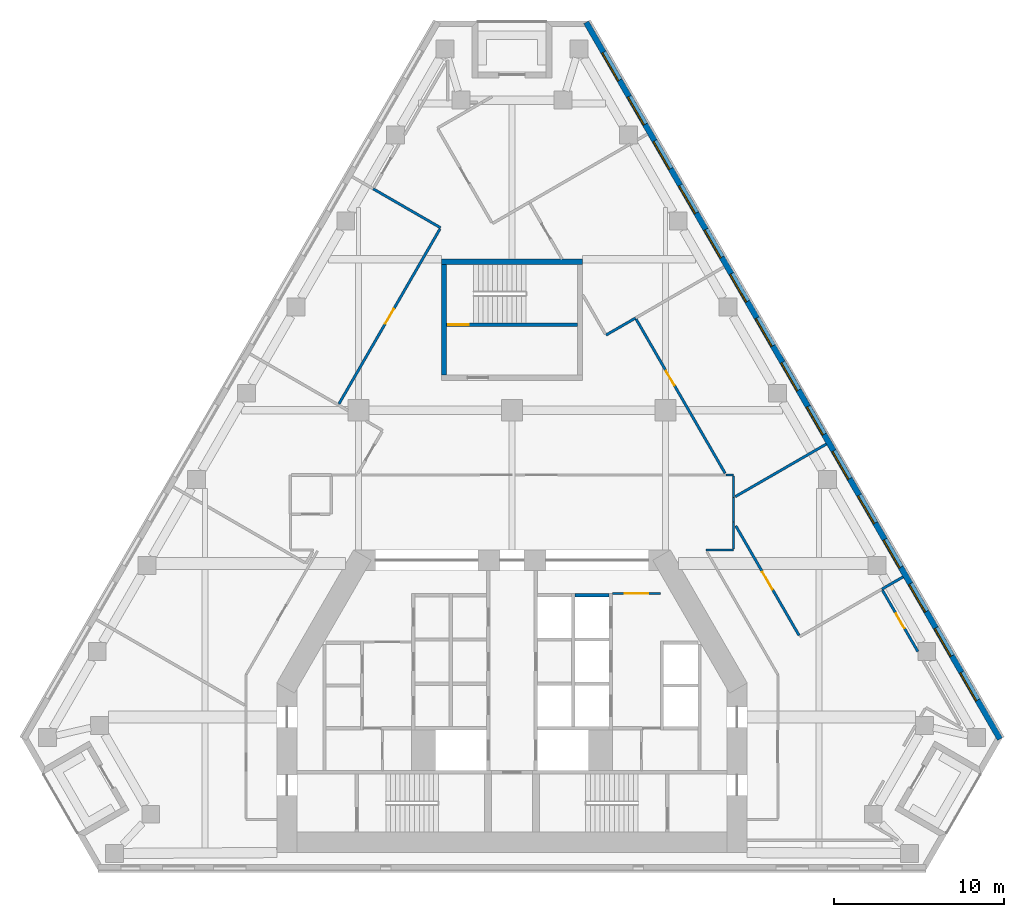
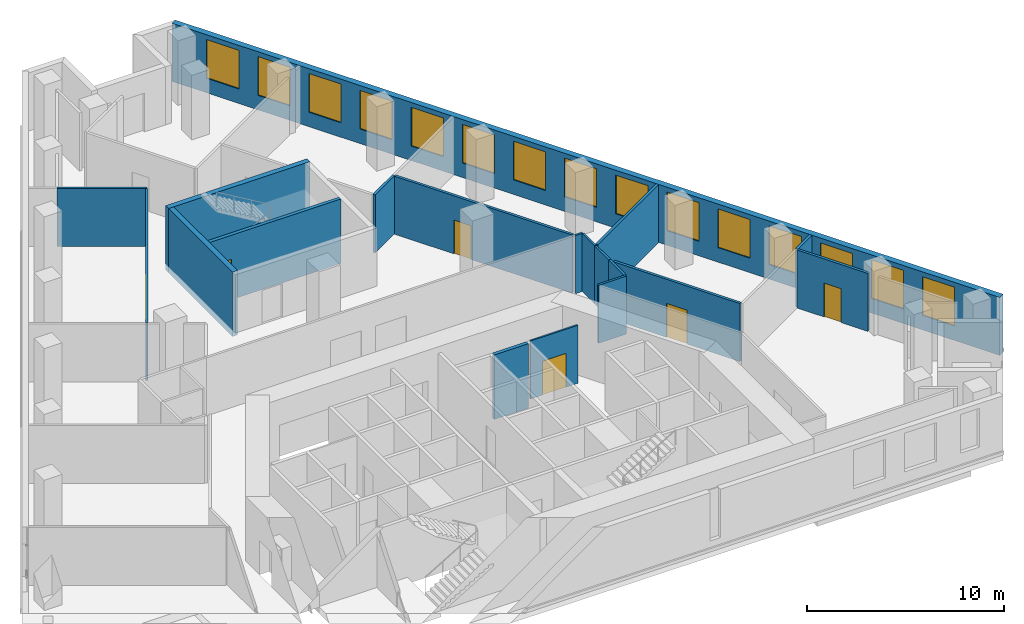
# One storey, part 6 of 8: 19 walls, 15 windows, 6 doors, 21 openings.
"""IFC4 building model written with IfcOpenShell, lengths in metres."""

import ifcopenshell
import ifcopenshell.guid

model = None  # the IFC model being written
_history = None  # IfcOwnerHistory: only IFC2X3 demands one
_inside = {}  # id of a spatial element -> (the spatial element, [elements in it])
_under = {}  # id of a project, library or spatial element -> (it, [spatial elements below it])
_declared = {}  # id of a project -> (the project, [libraries it declares])
_typed = {}  # id of a type object -> (the type object, [elements of that type])
_made_of = {}  # id of a material, layer set ... -> (it, [elements and type objects made of it])


def new_model(schema):
    """Start an empty IFC model of exactly this schema.

    Asked for "IFC4X3", IfcOpenShell would pick the latest addendum, in which some entities
    have other attributes; the version numbers below select the first issue.
    IFC2X3 requires an IfcOwnerHistory on every rooted entity: one is made here for all.
    """
    global model, _history
    if schema == "IFC4X3":
        model = ifcopenshell.file(schema_version=(4, 3, 0, 0))
    else:
        model = ifcopenshell.file(schema=schema)
    _inside.clear()
    _under.clear()
    _declared.clear()
    _typed.clear()
    _made_of.clear()
    _history = None
    if model.schema == "IFC2X3":
        org = make("IfcOrganization", Name="unknown")
        user = make(
            "IfcPersonAndOrganization",
            ThePerson=make("IfcPerson", FamilyName="unknown"),
            TheOrganization=org,
        )
        app = make(
            "IfcApplication",
            ApplicationDeveloper=org,
            Version="unknown",
            ApplicationFullName="unknown",
            ApplicationIdentifier="unknown",
        )
        _history = make(
            "IfcOwnerHistory",
            OwningUser=user,
            OwningApplication=app,
            ChangeAction="ADDED",
            CreationDate=0,
        )
    return model


def make(cls, **values):
    """One entity of the class cls with the attributes given. An attribute that is None is left unset."""
    return model.create_entity(
        cls, **{name: value for name, value in values.items() if value is not None}
    )


def rooted(cls, **values):
    """An entity with a GlobalId (a new one), such as an element, a storey or a relation."""
    return make(cls, GlobalId=ifcopenshell.guid.new(), OwnerHistory=_history, **values)


def si_unit(unit_type, name, prefix=None):
    """IfcSIUnit, for example si_unit("LENGTHUNIT", "METRE", prefix="MILLI")."""
    return make("IfcSIUnit", UnitType=unit_type, Prefix=prefix, Name=name)


def assignment(units):
    """IfcUnitAssignment: the units of a project."""
    return None if units is None else make("IfcUnitAssignment", Units=units)


def point(xyz):
    """IfcCartesianPoint."""
    return None if xyz is None else make("IfcCartesianPoint", Coordinates=xyz)


def direction(xyz):
    """IfcDirection."""
    return None if xyz is None else make("IfcDirection", DirectionRatios=xyz)


def frame(location, z_axis=None, x_axis=None):
    """IfcAxis2Placement3D, a coordinate frame: its origin and axes. An axis left out is left unset."""
    return make(
        "IfcAxis2Placement3D",
        Location=point(location),
        Axis=direction(z_axis),
        RefDirection=direction(x_axis),
    )


def frame_2d(location, x_axis=None):
    """IfcAxis2Placement2D, a coordinate frame in the plane: its origin and x axis."""
    return make(
        "IfcAxis2Placement2D", Location=point(location), RefDirection=direction(x_axis)
    )


def origin():
    """The frame at (0, 0, 0) with its axes left unset."""
    return frame((0.0, 0.0, 0.0))


def place(relative_to, where):
    """IfcLocalPlacement: puts the frame where relative to a parent placement (None: the world)."""
    return make(
        "IfcLocalPlacement", PlacementRelTo=relative_to, RelativePlacement=where
    )


def context(
    kind, dimensions, precision=None, world=None, true_north=None, identifier=None
):
    """IfcGeometricRepresentationContext, for example the 3D "Model" context."""
    return make(
        "IfcGeometricRepresentationContext",
        ContextIdentifier=identifier,
        ContextType=kind,
        CoordinateSpaceDimension=dimensions,
        Precision=precision,
        WorldCoordinateSystem=world,
        TrueNorth=true_north,
    )


def subcontext(parent, identifier, kind, view, scale=None):
    """IfcGeometricRepresentationSubContext, for example "Body" below "Model"."""
    return make(
        "IfcGeometricRepresentationSubContext",
        ContextIdentifier=identifier,
        ContextType=kind,
        ParentContext=parent,
        TargetScale=scale,
        TargetView=view,
    )


def project(units=None, contexts=None):
    """IfcProject with its units and contexts."""
    return rooted(
        "IfcProject",
        Name="project",
        RepresentationContexts=contexts,
        UnitsInContext=assignment(units),
    )


def spatial(cls, under=None, at=None, **own):
    """A site, building, storey or space (cls), placed at a placement, below another one or the project."""
    s = rooted(cls, ObjectPlacement=at, **own)
    if under is not None:
        _under.setdefault(under.id(), (under, []))[1].append(s)
    return s


def profile(cls, at=None, kind="AREA", **sizes):
    """A parametric profile (cls). Its sizes go by their IFC names, for example OverallWidth=200.0."""
    return make(cls, ProfileType=kind, Position=at, **sizes)


def rectangle(**sizes):
    """IfcRectangleProfileDef."""
    return profile("IfcRectangleProfileDef", **sizes)


def extrude(swept, where, along, depth):
    """IfcExtrudedAreaSolid: the profile swept, set in the frame where, extruded along a direction by depth."""
    return make(
        "IfcExtrudedAreaSolid",
        SweptArea=swept,
        Position=where,
        ExtrudedDirection=direction(along),
        Depth=depth,
    )


def shape(context_of_items, identifier, shape_type, items):
    """IfcShapeRepresentation: the items that make up one representation, for example the "Body"."""
    return make(
        "IfcShapeRepresentation",
        ContextOfItems=context_of_items,
        RepresentationIdentifier=identifier,
        RepresentationType=shape_type,
        Items=items,
    )


def material(Name=None, Category=None):
    """IfcMaterial."""
    return make("IfcMaterial", Name=Name, Category=Category)


def layer(
    of_material, thickness, ventilated=None, Name=None, Category=None, Priority=None
):
    """IfcMaterialLayer: one layer of a wall or slab, of a material (None: an air gap)."""
    return make(
        "IfcMaterialLayer",
        Material=of_material,
        LayerThickness=thickness,
        IsVentilated=ventilated,
        Name=Name,
        Category=Category,
        Priority=Priority,
    )


def layer_set(layers, Name=None):
    """IfcMaterialLayerSet."""
    return make("IfcMaterialLayerSet", MaterialLayers=layers, LayerSetName=Name)


def made_of(thing, what):
    """Note that an element or type object is made of a material, layer set ...; save() writes the relation."""
    if what is not None:
        _made_of.setdefault(what.id(), (what, []))[1].append(thing)
    return thing


def type_object(cls, material=None, **own):
    """A type object (cls), such as IfcWallType, which elements share."""
    return made_of(rooted(cls, **own), material)


def element(
    cls,
    number,
    at=None,
    inside=None,
    cuts=None,
    type_object=None,
    material=None,
    context=None,
    identifier="Body",
    shape_type=None,
    held_by="IfcProductDefinitionShape",
    body=None,
    shapes=None,
    **own,
):
    """One element of the class cls, such as IfcWall. Its Tag is "e" and its number.

    at: its placement. inside: the storey or other place that contains it. cuts: it is an
    opening in that element (IfcRelVoidsElement). A single representation is given by context,
    identifier, shape_type and body (its items); several are given by shapes. held_by: the class
    of the entity that holds the representations. save() writes the other relations.
    """
    e = rooted(cls, Tag="e%d" % number, ObjectPlacement=at, **own)
    if body is not None:
        shapes = [shape(context, identifier, shape_type, body)]
    if shapes is not None:
        e.Representation = make(held_by, Representations=shapes)
    if inside is not None:
        _inside.setdefault(inside.id(), (inside, []))[1].append(e)
    if cuts is not None:
        rooted(
            "IfcRelVoidsElement", RelatingBuildingElement=cuts, RelatedOpeningElement=e
        )
    if type_object is not None:
        _typed.setdefault(type_object.id(), (type_object, []))[1].append(e)
    return made_of(e, material)


def fill(opening, filler):
    """IfcRelFillsElement: the door or window that sits in an opening."""
    return rooted(
        "IfcRelFillsElement",
        RelatingOpeningElement=opening,
        RelatedBuildingElement=filler,
    )


def aggregate(whole, parts):
    """IfcRelAggregates: a whole, such as a stair, and the parts it consists of."""
    return rooted("IfcRelAggregates", RelatingObject=whole, RelatedObjects=parts)


def save(model, path):
    """Write the relations noted so far, then the file.

    IfcRelAggregates (storeys below a building ...), IfcRelContainedInSpatialStructure (elements
    in a storey), IfcRelDefinesByType, IfcRelAssociatesMaterial and IfcRelDeclares: one each for
    every whole, place, type object, material and project.
    """
    for whole, parts in _under.values():
        aggregate(whole, parts)
    for where, things in _inside.values():
        rooted(
            "IfcRelContainedInSpatialStructure",
            RelatedElements=things,
            RelatingStructure=where,
        )
    for kind, things in _typed.values():
        rooted("IfcRelDefinesByType", RelatedObjects=things, RelatingType=kind)
    for what, things in _made_of.values():
        rooted("IfcRelAssociatesMaterial", RelatedObjects=things, RelatingMaterial=what)
    for by, libraries in _declared.values():
        rooted("IfcRelDeclares", RelatingContext=by, RelatedDefinitions=libraries)
    model.write(path)


model = new_model("IFC4")

# Units and contexts
model_context = context("Model", 3, precision=1e-05, world=origin(), true_north=direction((0.0, 1.0)))
body_context = subcontext(model_context, "Body", "Model", "MODEL_VIEW")
ifc_project = project(units=[si_unit("LENGTHUNIT", "METRE"), si_unit("AREAUNIT", "SQUARE_METRE"), si_unit("VOLUMEUNIT", "CUBIC_METRE"), si_unit("PLANEANGLEUNIT", "RADIAN"), si_unit("MASSUNIT", "GRAM", prefix="KILO")], contexts=[model_context])

# Site, building, storey
site_placement = place(None, origin())
site = spatial("IfcSite", under=ifc_project, at=site_placement, CompositionType="ELEMENT")
building_placement = place(site_placement, origin())
building = spatial("IfcBuilding", under=site, at=building_placement, Name="Fogline Exchange Tower", CompositionType="ELEMENT")
storey_placement = place(building_placement, frame((0.0, 0.0, 158.89990234375)))
storey = spatial("IfcBuildingStorey", under=building, at=storey_placement, Name="L35", CompositionType="ELEMENT", Elevation=158.89990234375)

# Wall, opening, door
ifc_material_1 = material(Name="Blockwork partition", Category="masonry")
ifc_layer_1 = layer(ifc_material_1, 0.10009765625)
ifc_layer_set_1 = layer_set([ifc_layer_1], Name="CW10")
wall_type_1 = type_object("IfcWallType", Name="CW10", PredefinedType="PARTITIONING", material=ifc_layer_set_1)
wall_1_placement = place(storey_placement, frame((5.89990234375, 16.25, 0.0), z_axis=(0.0, 0.0, 1.0), x_axis=(1.0, 0.0, 0.0)))
wall_1 = element("IfcWall", 1, at=wall_1_placement, inside=storey, type_object=wall_type_1, Name="Lift lobby partition", PredefinedType="PARTITIONING", context=body_context, shape_type="SweptSolid", body=[
    extrude(rectangle(XDim=2.800048828125, YDim=0.10009765625, at=frame_2d((1.39990234375, 0.0))), origin(), (0.0, 0.0, 1.0), 3.60009765625),
])
opening_1_placement = place(wall_1_placement, frame((0.699951171875, 0.0, 0.0)))
opening_1 = element("IfcOpeningElement", 2, at=opening_1_placement, cuts=wall_1, Name="Opening T11-C017", PredefinedType="OPENING", context=body_context, shape_type="SweptSolid", body=[
    extrude(rectangle(XDim=1.39990234375, YDim=2.10009765625, at=frame_2d((0.699951171875, 1.050048828125))), frame((0.0, 0.06005859375, 0.0), z_axis=(0.0, -1.0, 0.0), x_axis=(1.0, 0.0, 0.0)), (0.0, 0.0, 1.0), 0.1201171875),
])
ifc_material_2 = material(Name="Steel and timber fire door", Category="steel")
door_type_1 = type_object("IfcDoorType", Name="D-LB1", OperationType="DOUBLE_DOOR_SINGLE_SWING", PredefinedType="DOOR", material=ifc_material_2)
door_1_placement = place(opening_1_placement, origin())
door_1 = element("IfcDoor", 3, at=door_1_placement, inside=storey, type_object=door_type_1, Name="Door to lift lobby", OperationType="DOUBLE_DOOR_SINGLE_SWING", OverallHeight=2.10009765625, OverallWidth=1.39990234375, PredefinedType="DOOR", context=body_context, shape_type="SweptSolid", body=[
    extrude(rectangle(XDim=1.39990234375, YDim=2.10009765625, at=frame_2d((0.699951171875, 1.050048828125))), frame((0.0, 0.02490234375, 0.0), z_axis=(0.0, -1.0, 0.0), x_axis=(1.0, 0.0, 0.0)), (0.0, 0.0, 1.0), 0.050048828125),
])
fill(opening_1, door_1)

ifc_material_3 = material(Name="Concrete C40", Category="concrete")
ifc_layer_2 = layer(ifc_material_3, 0.199951171875)
ifc_layer_set_2 = layer_set([ifc_layer_2], Name="CW20R")
wall_type_2 = type_object("IfcWallType", Name="CW20R", PredefinedType="SOLIDWALL", material=ifc_layer_set_2)
wall_2_placement = place(storey_placement, frame((-3.85009765625, 32.007080078125, -0.39990234375), z_axis=(0.0, 0.0, 1.0), x_axis=(1.0, 0.0, 0.0)))
wall_2 = element("IfcWall", 4, at=wall_2_placement, inside=storey, type_object=wall_type_2, Name="Stair enclosure wall ST3", PredefinedType="SOLIDWALL", context=body_context, shape_type="SweptSolid", body=[
    extrude(rectangle(XDim=7.7001953125, YDim=0.199951171875, at=frame_2d((3.85009765625, 0.0))), origin(), (0.0, 0.0, 1.0), 4.0),
])
opening_2_placement = place(wall_2_placement, frame((0.10009765625, 0.0, 0.39990234375)))
opening_2 = element("IfcOpeningElement", 5, at=opening_2_placement, cuts=wall_2, Name="Opening T11-C027", PredefinedType="OPENING", context=body_context, shape_type="SweptSolid", body=[
    extrude(rectangle(XDim=1.199951171875, YDim=2.10009765625, at=frame_2d((0.60009765625, 1.050048828125))), frame((0.0, 0.10986328125, 0.0), z_axis=(0.0, -1.0, 0.0), x_axis=(1.0, 0.0, 0.0)), (0.0, 0.0, 1.0), 0.219970703125),
])
door_type_2 = type_object("IfcDoorType", Name="D-ST1", OperationType="SINGLE_SWING_LEFT", PredefinedType="DOOR", material=ifc_material_2)
door_2_placement = place(opening_2_placement, origin())
door_2 = element("IfcDoor", 6, at=door_2_placement, inside=storey, type_object=door_type_2, Name="Stair door ST3", OperationType="SINGLE_SWING_LEFT", OverallHeight=2.10009765625, OverallWidth=1.199951171875, PredefinedType="DOOR", context=body_context, shape_type="SweptSolid", body=[
    extrude(rectangle(XDim=1.199951171875, YDim=2.10009765625, at=frame_2d((0.60009765625, 1.050048828125))), frame((0.0, 0.02490234375, 0.0), z_axis=(0.0, -1.0, 0.0), x_axis=(1.0, 0.0, 0.0)), (0.0, 0.0, 1.0), 0.050048828125),
])
fill(opening_2, door_2)

# Walls
ifc_layer_3 = layer(ifc_material_3, 0.199951171875)
ifc_layer_set_3 = layer_set([ifc_layer_3], Name="CW20S")
wall_type_3 = type_object("IfcWallType", Name="CW20S", PredefinedType="SOLIDWALL", material=ifc_layer_set_3)
wall_3_placement = place(storey_placement, frame((3.699951171875, 16.14990234375, -0.39990234375), z_axis=(0.0, 0.0, 1.0), x_axis=(1.0, 0.0, 0.0)))
element("IfcWall", 7, at=wall_3_placement, inside=storey, type_object=wall_type_3, Name="Lift shaft wall", PredefinedType="SOLIDWALL", context=body_context, shape_type="SweptSolid", body=[
    extrude(rectangle(XDim=2.0, YDim=0.199951171875, at=frame_2d((1.0, 0.0))), origin(), (0.0, 0.0, 1.0), 4.0),
])
ifc_layer_4 = layer(ifc_material_3, 0.300048828125)
ifc_layer_set_4 = layer_set([ifc_layer_4], Name="CW30")
wall_type_4 = type_object("IfcWallType", Name="CW30", PredefinedType="SOLIDWALL", material=ifc_layer_set_4)
wall_4_placement = place(storey_placement, frame((-4.14990234375, 35.70703125, -0.39990234375), z_axis=(0.0, 0.0, 1.0), x_axis=(1.0, 0.0, 0.0)))
element("IfcWall", 8, at=wall_4_placement, inside=storey, type_object=wall_type_4, Name="Stair enclosure wall ST3", PredefinedType="SOLIDWALL", context=body_context, shape_type="SweptSolid", body=[
    extrude(rectangle(XDim=8.2998046875, YDim=0.300048828125, at=frame_2d((4.14990234375, 0.0))), origin(), (0.0, 0.0, 1.0), 4.0),
])
wall_5_placement = place(storey_placement, frame((-4.0, 29.056884765625, -0.39990234375), z_axis=(0.0, 0.0, 1.0), x_axis=(0.0, 1.0, 0.0)))
element("IfcWall", 9, at=wall_5_placement, inside=storey, type_object=wall_type_4, Name="Stair enclosure wall ST3", PredefinedType="SOLIDWALL", context=body_context, shape_type="SweptSolid", body=[
    extrude(rectangle(XDim=6.5, YDim=0.300048828125, at=frame_2d((3.25, 0.0))), origin(), (0.0, 0.0, 1.0), 4.0),
])

# Wall, openings, windows
ifc_material_4 = material(Name="Brick masonry", Category="masonry")
ifc_layer_5 = layer(ifc_material_4, 0.340087890625)
ifc_layer_set_5 = layer_set([ifc_layer_5], Name="FW1")
wall_type_5 = type_object("IfcWallType", Name="FW1", PredefinedType="SOLIDWALL", material=ifc_layer_set_5)
wall_6_placement = place(storey_placement, frame((28.62890625, 7.709228515625, 0.0), z_axis=(0.0, 0.0, 1.0), x_axis=(-0.500001027829, 0.866024810367, 0.0)))
wall_6 = element("IfcWall", 10, at=wall_6_placement, inside=storey, type_object=wall_type_5, Name="Brick wall L35 E", PredefinedType="SOLIDWALL", context=body_context, shape_type="SweptSolid", body=[
    extrude(rectangle(XDim=48.55224609375, YDim=0.340087890625, at=frame_2d((24.276123046875, 0.0))), origin(), (0.0, 0.0, 1.0), 3.60009765625),
])
opening_3_placement = place(wall_6_placement, frame((2.637939453125, 0.0, 0.89990234375)))
opening_3 = element("IfcOpeningElement", 11, at=opening_3_placement, cuts=wall_6, Name="Opening W1", PredefinedType="OPENING", context=body_context, shape_type="SweptSolid", body=[
    extrude(rectangle(XDim=1.885009765625, YDim=2.39990234375, at=frame_2d((0.9423828125, 1.199951171875))), frame((0.0, 0.18017578125, 0.0), z_axis=(0.0, -1.0, 0.0), x_axis=(1.0, 0.0, 0.0)), (0.0, 0.0, 1.0), 0.360107421875),
])
opening_4_placement = place(wall_6_placement, frame((5.637939453125, 0.0, 0.89990234375)))
opening_4 = element("IfcOpeningElement", 12, at=opening_4_placement, cuts=wall_6, Name="Opening W1", PredefinedType="OPENING", context=body_context, shape_type="SweptSolid", body=[
    extrude(rectangle(XDim=1.885009765625, YDim=2.39990234375, at=frame_2d((0.9423828125, 1.199951171875))), frame((0.0, 0.18017578125, 0.0), z_axis=(0.0, -1.0, 0.0), x_axis=(1.0, 0.0, 0.0)), (0.0, 0.0, 1.0), 0.360107421875),
])
opening_5_placement = place(wall_6_placement, frame((8.637939453125, 0.0, 0.89990234375)))
opening_5 = element("IfcOpeningElement", 13, at=opening_5_placement, cuts=wall_6, Name="Opening W1", PredefinedType="OPENING", context=body_context, shape_type="SweptSolid", body=[
    extrude(rectangle(XDim=1.885009765625, YDim=2.39990234375, at=frame_2d((0.9423828125, 1.199951171875))), frame((0.0, 0.18017578125, 0.0), z_axis=(0.0, -1.0, 0.0), x_axis=(1.0, 0.0, 0.0)), (0.0, 0.0, 1.0), 0.360107421875),
])
opening_6_placement = place(wall_6_placement, frame((11.637939453125, 0.0, 0.89990234375)))
opening_6 = element("IfcOpeningElement", 14, at=opening_6_placement, cuts=wall_6, Name="Opening W1", PredefinedType="OPENING", context=body_context, shape_type="SweptSolid", body=[
    extrude(rectangle(XDim=1.885009765625, YDim=2.39990234375, at=frame_2d((0.9423828125, 1.199951171875))), frame((0.0, 0.18017578125, 0.0), z_axis=(0.0, -1.0, 0.0), x_axis=(1.0, 0.0, 0.0)), (0.0, 0.0, 1.0), 0.360107421875),
])
opening_7_placement = place(wall_6_placement, frame((14.637939453125, 0.0, 0.89990234375)))
opening_7 = element("IfcOpeningElement", 15, at=opening_7_placement, cuts=wall_6, Name="Opening W1", PredefinedType="OPENING", context=body_context, shape_type="SweptSolid", body=[
    extrude(rectangle(XDim=1.885009765625, YDim=2.39990234375, at=frame_2d((0.9423828125, 1.199951171875))), frame((0.0, 0.18017578125, 0.0), z_axis=(0.0, -1.0, 0.0), x_axis=(1.0, 0.0, 0.0)), (0.0, 0.0, 1.0), 0.360107421875),
])
opening_8_placement = place(wall_6_placement, frame((17.637939453125, 0.0, 0.89990234375)))
opening_8 = element("IfcOpeningElement", 16, at=opening_8_placement, cuts=wall_6, Name="Opening W1", PredefinedType="OPENING", context=body_context, shape_type="SweptSolid", body=[
    extrude(rectangle(XDim=1.885009765625, YDim=2.39990234375, at=frame_2d((0.9423828125, 1.199951171875))), frame((0.0, 0.18017578125, 0.0), z_axis=(0.0, -1.0, 0.0), x_axis=(1.0, 0.0, 0.0)), (0.0, 0.0, 1.0), 0.360107421875),
])
opening_9_placement = place(wall_6_placement, frame((20.637939453125, 0.0, 0.89990234375)))
opening_9 = element("IfcOpeningElement", 17, at=opening_9_placement, cuts=wall_6, Name="Opening W1", PredefinedType="OPENING", context=body_context, shape_type="SweptSolid", body=[
    extrude(rectangle(XDim=1.885009765625, YDim=2.39990234375, at=frame_2d((0.9423828125, 1.199951171875))), frame((0.0, 0.18017578125, 0.0), z_axis=(0.0, -1.0, 0.0), x_axis=(1.0, 0.0, 0.0)), (0.0, 0.0, 1.0), 0.360107421875),
])
opening_10_placement = place(wall_6_placement, frame((23.637939453125, 0.0, 0.89990234375)))
opening_10 = element("IfcOpeningElement", 18, at=opening_10_placement, cuts=wall_6, Name="Opening W1", PredefinedType="OPENING", context=body_context, shape_type="SweptSolid", body=[
    extrude(rectangle(XDim=1.885009765625, YDim=2.39990234375, at=frame_2d((0.9423828125, 1.199951171875))), frame((0.0, 0.18017578125, 0.0), z_axis=(0.0, -1.0, 0.0), x_axis=(1.0, 0.0, 0.0)), (0.0, 0.0, 1.0), 0.360107421875),
])
opening_11_placement = place(wall_6_placement, frame((26.637939453125, 0.0, 0.89990234375)))
opening_11 = element("IfcOpeningElement", 19, at=opening_11_placement, cuts=wall_6, Name="Opening W1", PredefinedType="OPENING", context=body_context, shape_type="SweptSolid", body=[
    extrude(rectangle(XDim=1.885009765625, YDim=2.39990234375, at=frame_2d((0.9423828125, 1.199951171875))), frame((0.0, 0.18017578125, 0.0), z_axis=(0.0, -1.0, 0.0), x_axis=(1.0, 0.0, 0.0)), (0.0, 0.0, 1.0), 0.360107421875),
])
opening_12_placement = place(wall_6_placement, frame((29.637939453125, 0.0, 0.89990234375)))
opening_12 = element("IfcOpeningElement", 20, at=opening_12_placement, cuts=wall_6, Name="Opening W1", PredefinedType="OPENING", context=body_context, shape_type="SweptSolid", body=[
    extrude(rectangle(XDim=1.885009765625, YDim=2.39990234375, at=frame_2d((0.9423828125, 1.199951171875))), frame((0.0, 0.18017578125, 0.0), z_axis=(0.0, -1.0, 0.0), x_axis=(1.0, 0.0, 0.0)), (0.0, 0.0, 1.0), 0.360107421875),
])
opening_13_placement = place(wall_6_placement, frame((32.637939453125, 0.0, 0.89990234375)))
opening_13 = element("IfcOpeningElement", 21, at=opening_13_placement, cuts=wall_6, Name="Opening W1", PredefinedType="OPENING", context=body_context, shape_type="SweptSolid", body=[
    extrude(rectangle(XDim=1.885009765625, YDim=2.39990234375, at=frame_2d((0.9423828125, 1.199951171875))), frame((0.0, 0.18017578125, 0.0), z_axis=(0.0, -1.0, 0.0), x_axis=(1.0, 0.0, 0.0)), (0.0, 0.0, 1.0), 0.360107421875),
])
opening_14_placement = place(wall_6_placement, frame((35.637939453125, 0.0, 0.89990234375)))
opening_14 = element("IfcOpeningElement", 22, at=opening_14_placement, cuts=wall_6, Name="Opening W1", PredefinedType="OPENING", context=body_context, shape_type="SweptSolid", body=[
    extrude(rectangle(XDim=1.885009765625, YDim=2.39990234375, at=frame_2d((0.9423828125, 1.199951171875))), frame((0.0, 0.18017578125, 0.0), z_axis=(0.0, -1.0, 0.0), x_axis=(1.0, 0.0, 0.0)), (0.0, 0.0, 1.0), 0.360107421875),
])
opening_15_placement = place(wall_6_placement, frame((38.637939453125, 0.0, 0.89990234375)))
opening_15 = element("IfcOpeningElement", 23, at=opening_15_placement, cuts=wall_6, Name="Opening W1", PredefinedType="OPENING", context=body_context, shape_type="SweptSolid", body=[
    extrude(rectangle(XDim=1.885009765625, YDim=2.39990234375, at=frame_2d((0.9423828125, 1.199951171875))), frame((0.0, 0.18017578125, 0.0), z_axis=(0.0, -1.0, 0.0), x_axis=(1.0, 0.0, 0.0)), (0.0, 0.0, 1.0), 0.360107421875),
])
opening_16_placement = place(wall_6_placement, frame((41.637939453125, 0.0, 0.89990234375)))
opening_16 = element("IfcOpeningElement", 24, at=opening_16_placement, cuts=wall_6, Name="Opening W1", PredefinedType="OPENING", context=body_context, shape_type="SweptSolid", body=[
    extrude(rectangle(XDim=1.885009765625, YDim=2.39990234375, at=frame_2d((0.9423828125, 1.199951171875))), frame((0.0, 0.18017578125, 0.0), z_axis=(0.0, -1.0, 0.0), x_axis=(1.0, 0.0, 0.0)), (0.0, 0.0, 1.0), 0.360107421875),
])
opening_17_placement = place(wall_6_placement, frame((44.637939453125, 0.0, 0.89990234375)))
opening_17 = element("IfcOpeningElement", 25, at=opening_17_placement, cuts=wall_6, Name="Opening W1", PredefinedType="OPENING", context=body_context, shape_type="SweptSolid", body=[
    extrude(rectangle(XDim=1.885009765625, YDim=2.39990234375, at=frame_2d((0.9423828125, 1.199951171875))), frame((0.0, 0.18017578125, 0.0), z_axis=(0.0, -1.0, 0.0), x_axis=(1.0, 0.0, 0.0)), (0.0, 0.0, 1.0), 0.360107421875),
])
ifc_material_5 = material(Name="Aluminium and glass", Category="aluminium")
window_type = type_object("IfcWindowType", Name="W1", PartitioningType="SINGLE_PANEL", PredefinedType="WINDOW", material=ifc_material_5)
window_1_placement = place(opening_3_placement, origin())
window_1 = element("IfcWindow", 26, at=window_1_placement, inside=storey, type_object=window_type, Name="W1 W1", OverallHeight=2.39990234375, OverallWidth=1.885009765625, PartitioningType="SINGLE_PANEL", PredefinedType="WINDOW", context=body_context, shape_type="SweptSolid", body=[
    extrude(rectangle(XDim=1.885009765625, YDim=2.39990234375, at=frame_2d((0.9423828125, 1.199951171875))), frame((0.0, 0.110107421875, 0.0), z_axis=(0.0, -1.0, 0.0), x_axis=(1.0, 0.0, 0.0)), (0.0, 0.0, 1.0), 0.06005859375),
])
fill(opening_3, window_1)
window_2_placement = place(opening_4_placement, origin())
window_2 = element("IfcWindow", 27, at=window_2_placement, inside=storey, type_object=window_type, Name="W1 W1", OverallHeight=2.39990234375, OverallWidth=1.885009765625, PartitioningType="SINGLE_PANEL", PredefinedType="WINDOW", context=body_context, shape_type="SweptSolid", body=[
    extrude(rectangle(XDim=1.885009765625, YDim=2.39990234375, at=frame_2d((0.9423828125, 1.199951171875))), frame((0.0, 0.110107421875, 0.0), z_axis=(0.0, -1.0, 0.0), x_axis=(1.0, 0.0, 0.0)), (0.0, 0.0, 1.0), 0.06005859375),
])
fill(opening_4, window_2)
window_3_placement = place(opening_5_placement, origin())
window_3 = element("IfcWindow", 28, at=window_3_placement, inside=storey, type_object=window_type, Name="W1 W1", OverallHeight=2.39990234375, OverallWidth=1.885009765625, PartitioningType="SINGLE_PANEL", PredefinedType="WINDOW", context=body_context, shape_type="SweptSolid", body=[
    extrude(rectangle(XDim=1.885009765625, YDim=2.39990234375, at=frame_2d((0.9423828125, 1.199951171875))), frame((0.0, 0.110107421875, 0.0), z_axis=(0.0, -1.0, 0.0), x_axis=(1.0, 0.0, 0.0)), (0.0, 0.0, 1.0), 0.06005859375),
])
fill(opening_5, window_3)
window_4_placement = place(opening_6_placement, origin())
window_4 = element("IfcWindow", 29, at=window_4_placement, inside=storey, type_object=window_type, Name="W1 W1", OverallHeight=2.39990234375, OverallWidth=1.885009765625, PartitioningType="SINGLE_PANEL", PredefinedType="WINDOW", context=body_context, shape_type="SweptSolid", body=[
    extrude(rectangle(XDim=1.885009765625, YDim=2.39990234375, at=frame_2d((0.9423828125, 1.199951171875))), frame((0.0, 0.110107421875, 0.0), z_axis=(0.0, -1.0, 0.0), x_axis=(1.0, 0.0, 0.0)), (0.0, 0.0, 1.0), 0.06005859375),
])
fill(opening_6, window_4)
window_5_placement = place(opening_7_placement, origin())
window_5 = element("IfcWindow", 30, at=window_5_placement, inside=storey, type_object=window_type, Name="W1 W1", OverallHeight=2.39990234375, OverallWidth=1.885009765625, PartitioningType="SINGLE_PANEL", PredefinedType="WINDOW", context=body_context, shape_type="SweptSolid", body=[
    extrude(rectangle(XDim=1.885009765625, YDim=2.39990234375, at=frame_2d((0.9423828125, 1.199951171875))), frame((0.0, 0.110107421875, 0.0), z_axis=(0.0, -1.0, 0.0), x_axis=(1.0, 0.0, 0.0)), (0.0, 0.0, 1.0), 0.06005859375),
])
fill(opening_7, window_5)
window_6_placement = place(opening_8_placement, origin())
window_6 = element("IfcWindow", 31, at=window_6_placement, inside=storey, type_object=window_type, Name="W1 W1", OverallHeight=2.39990234375, OverallWidth=1.885009765625, PartitioningType="SINGLE_PANEL", PredefinedType="WINDOW", context=body_context, shape_type="SweptSolid", body=[
    extrude(rectangle(XDim=1.885009765625, YDim=2.39990234375, at=frame_2d((0.9423828125, 1.199951171875))), frame((0.0, 0.110107421875, 0.0), z_axis=(0.0, -1.0, 0.0), x_axis=(1.0, 0.0, 0.0)), (0.0, 0.0, 1.0), 0.06005859375),
])
fill(opening_8, window_6)
window_7_placement = place(opening_9_placement, origin())
window_7 = element("IfcWindow", 32, at=window_7_placement, inside=storey, type_object=window_type, Name="W1 W1", OverallHeight=2.39990234375, OverallWidth=1.885009765625, PartitioningType="SINGLE_PANEL", PredefinedType="WINDOW", context=body_context, shape_type="SweptSolid", body=[
    extrude(rectangle(XDim=1.885009765625, YDim=2.39990234375, at=frame_2d((0.9423828125, 1.199951171875))), frame((0.0, 0.110107421875, 0.0), z_axis=(0.0, -1.0, 0.0), x_axis=(1.0, 0.0, 0.0)), (0.0, 0.0, 1.0), 0.06005859375),
])
fill(opening_9, window_7)
window_8_placement = place(opening_10_placement, origin())
window_8 = element("IfcWindow", 33, at=window_8_placement, inside=storey, type_object=window_type, Name="W1 W1", OverallHeight=2.39990234375, OverallWidth=1.885009765625, PartitioningType="SINGLE_PANEL", PredefinedType="WINDOW", context=body_context, shape_type="SweptSolid", body=[
    extrude(rectangle(XDim=1.885009765625, YDim=2.39990234375, at=frame_2d((0.9423828125, 1.199951171875))), frame((0.0, 0.110107421875, 0.0), z_axis=(0.0, -1.0, 0.0), x_axis=(1.0, 0.0, 0.0)), (0.0, 0.0, 1.0), 0.06005859375),
])
fill(opening_10, window_8)
window_9_placement = place(opening_11_placement, origin())
window_9 = element("IfcWindow", 34, at=window_9_placement, inside=storey, type_object=window_type, Name="W1 W1", OverallHeight=2.39990234375, OverallWidth=1.885009765625, PartitioningType="SINGLE_PANEL", PredefinedType="WINDOW", context=body_context, shape_type="SweptSolid", body=[
    extrude(rectangle(XDim=1.885009765625, YDim=2.39990234375, at=frame_2d((0.9423828125, 1.199951171875))), frame((0.0, 0.110107421875, 0.0), z_axis=(0.0, -1.0, 0.0), x_axis=(1.0, 0.0, 0.0)), (0.0, 0.0, 1.0), 0.06005859375),
])
fill(opening_11, window_9)
window_10_placement = place(opening_12_placement, origin())
window_10 = element("IfcWindow", 35, at=window_10_placement, inside=storey, type_object=window_type, Name="W1 W1", OverallHeight=2.39990234375, OverallWidth=1.885009765625, PartitioningType="SINGLE_PANEL", PredefinedType="WINDOW", context=body_context, shape_type="SweptSolid", body=[
    extrude(rectangle(XDim=1.885009765625, YDim=2.39990234375, at=frame_2d((0.9423828125, 1.199951171875))), frame((0.0, 0.110107421875, 0.0), z_axis=(0.0, -1.0, 0.0), x_axis=(1.0, 0.0, 0.0)), (0.0, 0.0, 1.0), 0.06005859375),
])
fill(opening_12, window_10)
window_11_placement = place(opening_13_placement, origin())
window_11 = element("IfcWindow", 36, at=window_11_placement, inside=storey, type_object=window_type, Name="W1 W1", OverallHeight=2.39990234375, OverallWidth=1.885009765625, PartitioningType="SINGLE_PANEL", PredefinedType="WINDOW", context=body_context, shape_type="SweptSolid", body=[
    extrude(rectangle(XDim=1.885009765625, YDim=2.39990234375, at=frame_2d((0.9423828125, 1.199951171875))), frame((0.0, 0.110107421875, 0.0), z_axis=(0.0, -1.0, 0.0), x_axis=(1.0, 0.0, 0.0)), (0.0, 0.0, 1.0), 0.06005859375),
])
fill(opening_13, window_11)
window_12_placement = place(opening_14_placement, origin())
window_12 = element("IfcWindow", 37, at=window_12_placement, inside=storey, type_object=window_type, Name="W1 W1", OverallHeight=2.39990234375, OverallWidth=1.885009765625, PartitioningType="SINGLE_PANEL", PredefinedType="WINDOW", context=body_context, shape_type="SweptSolid", body=[
    extrude(rectangle(XDim=1.885009765625, YDim=2.39990234375, at=frame_2d((0.9423828125, 1.199951171875))), frame((0.0, 0.110107421875, 0.0), z_axis=(0.0, -1.0, 0.0), x_axis=(1.0, 0.0, 0.0)), (0.0, 0.0, 1.0), 0.06005859375),
])
fill(opening_14, window_12)
window_13_placement = place(opening_15_placement, origin())
window_13 = element("IfcWindow", 38, at=window_13_placement, inside=storey, type_object=window_type, Name="W1 W1", OverallHeight=2.39990234375, OverallWidth=1.885009765625, PartitioningType="SINGLE_PANEL", PredefinedType="WINDOW", context=body_context, shape_type="SweptSolid", body=[
    extrude(rectangle(XDim=1.885009765625, YDim=2.39990234375, at=frame_2d((0.9423828125, 1.199951171875))), frame((0.0, 0.110107421875, 0.0), z_axis=(0.0, -1.0, 0.0), x_axis=(1.0, 0.0, 0.0)), (0.0, 0.0, 1.0), 0.06005859375),
])
fill(opening_15, window_13)
window_14_placement = place(opening_16_placement, origin())
window_14 = element("IfcWindow", 39, at=window_14_placement, inside=storey, type_object=window_type, Name="W1 W1", OverallHeight=2.39990234375, OverallWidth=1.885009765625, PartitioningType="SINGLE_PANEL", PredefinedType="WINDOW", context=body_context, shape_type="SweptSolid", body=[
    extrude(rectangle(XDim=1.885009765625, YDim=2.39990234375, at=frame_2d((0.9423828125, 1.199951171875))), frame((0.0, 0.110107421875, 0.0), z_axis=(0.0, -1.0, 0.0), x_axis=(1.0, 0.0, 0.0)), (0.0, 0.0, 1.0), 0.06005859375),
])
fill(opening_16, window_14)
window_15_placement = place(opening_17_placement, origin())
window_15 = element("IfcWindow", 40, at=window_15_placement, inside=storey, type_object=window_type, Name="W1 W1", OverallHeight=2.39990234375, OverallWidth=1.885009765625, PartitioningType="SINGLE_PANEL", PredefinedType="WINDOW", context=body_context, shape_type="SweptSolid", body=[
    extrude(rectangle(XDim=1.885009765625, YDim=2.39990234375, at=frame_2d((0.9423828125, 1.199951171875))), frame((0.0, 0.110107421875, 0.0), z_axis=(0.0, -1.0, 0.0), x_axis=(1.0, 0.0, 0.0)), (0.0, 0.0, 1.0), 0.06005859375),
])
fill(opening_17, window_15)

# Walls
ifc_material_6 = material(Name="Plasterboard corridor partition with mineral wool, 2 layers each side")
ifc_layer_6 = layer(ifc_material_6, 0.125)
ifc_layer_set_6 = layer_set([ifc_layer_6], Name="PW2")
wall_type_6 = type_object("IfcWallType", Name="PW2", PredefinedType="PARTITIONING", material=ifc_layer_set_6)
wall_7_placement = place(storey_placement, frame((13.0, 21.872802734375, 0.0), z_axis=(0.0, 0.0, 1.0), x_axis=(0.0, -1.0, 0.0)))
element("IfcWall", 41, at=wall_7_placement, inside=storey, type_object=wall_type_6, Name="wall-L35-W004", PredefinedType="PARTITIONING", context=body_context, shape_type="SweptSolid", body=[
    extrude(rectangle(XDim=1.43359375, YDim=0.125, at=frame_2d((0.716796875, 0.0))), origin(), (0.0, 0.0, 1.0), 3.60009765625),
])
wall_8_placement = place(storey_placement, frame((12.560791015625, 23.199951171875, 0.0), z_axis=(0.0, 0.0, 1.0), x_axis=(1.0, 0.0, 0.0)))
element("IfcWall", 42, at=wall_8_placement, inside=storey, type_object=wall_type_6, Name="wall-L35-W005", PredefinedType="PARTITIONING", context=body_context, shape_type="SweptSolid", body=[
    extrude(rectangle(XDim=0.439208984375, YDim=0.125, at=frame_2d((0.2197265625, 0.0))), origin(), (0.0, 0.0, 1.0), 3.60009765625),
])
wall_9_placement = place(storey_placement, frame((13.0, 23.137451171875, 0.0), z_axis=(0.0, 0.0, 1.0), x_axis=(0.0, -1.0, 0.0)))
element("IfcWall", 43, at=wall_9_placement, inside=storey, type_object=wall_type_6, Name="wall-L35-W006", PredefinedType="PARTITIONING", context=body_context, shape_type="SweptSolid", body=[
    extrude(rectangle(XDim=1.2646484375, YDim=0.125, at=frame_2d((0.63232421875, 0.0))), origin(), (0.0, 0.0, 1.0), 3.60009765625),
])
wall_10_placement = place(storey_placement, frame((13.0, 20.439208984375, 0.0), z_axis=(0.0, 0.0, 1.0), x_axis=(0.0, -1.0, 0.0)))
element("IfcWall", 44, at=wall_10_placement, inside=storey, type_object=wall_type_6, Name="wall-L35-W013", PredefinedType="PARTITIONING", context=body_context, shape_type="SweptSolid", body=[
    extrude(rectangle(XDim=1.57666015625, YDim=0.125, at=frame_2d((0.788330078125, 0.0))), origin(), (0.0, 0.0, 1.0), 3.60009765625),
])
wall_11_placement = place(storey_placement, frame((13.0, 18.800048828125, 0.0), z_axis=(0.0, 0.0, 1.0), x_axis=(-1.0, 0.0, 0.0)))
element("IfcWall", 45, at=wall_11_placement, inside=storey, type_object=wall_type_6, Name="wall-L35-W014", PredefinedType="PARTITIONING", context=body_context, shape_type="SweptSolid", body=[
    extrude(rectangle(XDim=1.62548828125, YDim=0.125, at=frame_2d((0.812744140625, 0.0))), origin(), (0.0, 0.0, 1.0), 3.60009765625),
])
ifc_material_7 = material(Name="Plasterboard demising partition with mineral wool and acoustic board")
ifc_layer_7 = layer(ifc_material_7, 0.14990234375)
ifc_layer_set_7 = layer_set([ifc_layer_7], Name="PW3")
wall_type_7 = type_object("IfcWallType", Name="PW3", PredefinedType="PARTITIONING", material=ifc_layer_set_7)
wall_12_placement = place(storey_placement, frame((13.100341796875, 21.930908203125, 0.0), z_axis=(0.0, 0.0, 1.0), x_axis=(0.866037262717, 0.499979459163, 0.0)))
element("IfcWall", 46, at=wall_12_placement, inside=storey, type_object=wall_type_7, Name="wall-L35-W019", PredefinedType="PARTITIONING", context=body_context, shape_type="SweptSolid", body=[
    extrude(rectangle(XDim=6.167236328125, YDim=0.14990234375, at=frame_2d((3.08349609375, 0.0))), origin(), (0.0, 0.0, 1.0), 3.60009765625),
])
wall_13_placement = place(storey_placement, frame((22.94140625, 17.22021484375, 0.0), z_axis=(0.0, 0.0, 1.0), x_axis=(-0.866038426532, -0.499977443261, 0.0)))
element("IfcWall", 47, at=wall_13_placement, inside=storey, type_object=wall_type_7, Name="wall-L35-W020", PredefinedType="PARTITIONING", context=body_context, shape_type="SweptSolid", body=[
    extrude(rectangle(XDim=1.4365234375, YDim=0.14990234375, at=frame_2d((0.71826171875, 0.0))), origin(), (0.0, 0.0, 1.0), 3.60009765625),
])

# Wall, opening, door
wall_14_placement = place(storey_placement, frame((16.841796875, 13.785400390625, 0.0), z_axis=(0.0, 0.0, 1.0), x_axis=(-0.500024037331, 0.86601152538, 0.0)))
wall_14 = element("IfcWall", 48, at=wall_14_placement, inside=storey, type_object=wall_type_7, Name="wall-L35-W022", PredefinedType="PARTITIONING", context=body_context, shape_type="SweptSolid", body=[
    extrude(rectangle(XDim=7.427978515625, YDim=0.14990234375, at=frame_2d((3.7138671875, 0.0))), origin(), (0.0, 0.0, 1.0), 3.60009765625),
])
opening_18_placement = place(wall_14_placement, frame((3.114013671875, 0.0, 0.0)))
opening_18 = element("IfcOpeningElement", 49, at=opening_18_placement, cuts=wall_14, Name="Opening T11-D007", PredefinedType="OPENING", context=body_context, shape_type="SweptSolid", body=[
    extrude(rectangle(XDim=1.199951171875, YDim=2.10009765625, at=frame_2d((0.60009765625, 1.050048828125))), frame((0.0, 0.0849609375, 0.0), z_axis=(0.0, -1.0, 0.0), x_axis=(1.0, 0.0, 0.0)), (0.0, 0.0, 1.0), 0.169921875),
])
ifc_material_8 = material(Name="Fire-rated glazed door leaf with steel frame", Category="steel")
door_type_3 = type_object("IfcDoorType", Name="D5", OperationType="SINGLE_SWING_LEFT", PredefinedType="DOOR", material=ifc_material_8)
door_3_placement = place(opening_18_placement, frame((1.199951171875, 0.0, 0.0), z_axis=(0.0, 0.0, 1.0), x_axis=(-1.0, 0.0, 0.0)))
door_3 = element("IfcDoor", 50, at=door_3_placement, inside=storey, type_object=door_type_3, Name="door-L35-D007", OperationType="SINGLE_SWING_RIGHT", OverallHeight=2.10009765625, OverallWidth=1.199951171875, PredefinedType="DOOR", context=body_context, shape_type="SweptSolid", body=[
    extrude(rectangle(XDim=1.199951171875, YDim=2.10009765625, at=frame_2d((0.60009765625, 1.050048828125))), frame((0.0, 0.02490234375, 0.0), z_axis=(0.0, -1.0, 0.0), x_axis=(1.0, 0.0, 0.0)), (0.0, 0.0, 1.0), 0.050048828125),
])
fill(opening_18, door_3)

wall_15_placement = place(storey_placement, frame((12.502685546875, 23.30029296875, 0.0), z_axis=(0.0, 0.0, 1.0), x_axis=(-0.499989654501, 0.866031376679, 0.0)))
wall_15 = element("IfcWall", 51, at=wall_15_placement, inside=storey, type_object=wall_type_7, Name="wall-L35-W024", PredefinedType="PARTITIONING", context=body_context, shape_type="SweptSolid", body=[
    extrude(rectangle(XDim=10.440185546875, YDim=0.14990234375, at=frame_2d((5.22021484375, 0.0))), origin(), (0.0, 0.0, 1.0), 3.60009765625),
])
opening_19_placement = place(wall_15_placement, frame((5.939208984375, 0.0, 0.0)))
opening_19 = element("IfcOpeningElement", 52, at=opening_19_placement, cuts=wall_15, Name="Opening T11-D008", PredefinedType="OPENING", context=body_context, shape_type="SweptSolid", body=[
    extrude(rectangle(XDim=1.0, YDim=2.10009765625, at=frame_2d((0.5, 1.050048828125))), frame((0.0, 0.0849609375, 0.0), z_axis=(0.0, -1.0, 0.0), x_axis=(1.0, 0.0, 0.0)), (0.0, 0.0, 1.0), 0.169921875),
])
ifc_material_9 = material(Name="Fire-rated timber door leaf with steel frame", Category="steel")
door_type_4 = type_object("IfcDoorType", Name="D3", OperationType="SINGLE_SWING_LEFT", PredefinedType="DOOR", material=ifc_material_9)
door_4_placement = place(opening_19_placement, frame((1.0, 0.0, 0.0), z_axis=(0.0, 0.0, 1.0), x_axis=(-1.0, 0.0, 0.0)))
door_4 = element("IfcDoor", 53, at=door_4_placement, inside=storey, type_object=door_type_4, Name="door-L35-D008", OperationType="SINGLE_SWING_LEFT", OverallHeight=2.10009765625, OverallWidth=1.0, PredefinedType="DOOR", context=body_context, shape_type="SweptSolid", body=[
    extrude(rectangle(XDim=1.0, YDim=2.10009765625, at=frame_2d((0.5, 1.050048828125))), frame((0.0, 0.02490234375, 0.0), z_axis=(0.0, -1.0, 0.0), x_axis=(1.0, 0.0, 0.0)), (0.0, 0.0, 1.0), 0.050048828125),
])
fill(opening_19, door_4)

# Wall
wall_16_placement = place(storey_placement, frame((7.2451171875, 32.40673828125, 0.0), z_axis=(0.0, 0.0, 1.0), x_axis=(-0.866010750942, -0.50002537861, 0.0)))
element("IfcWall", 54, at=wall_16_placement, inside=storey, type_object=wall_type_7, Name="wall-L35-W027", PredefinedType="PARTITIONING", context=body_context, shape_type="SweptSolid", body=[
    extrude(rectangle(XDim=2.0, YDim=0.14990234375, at=frame_2d((1.0, 0.0))), origin(), (0.0, 0.0, 1.0), 3.60009765625),
])

# Wall, opening, door
wall_17_placement = place(storey_placement, frame((-10.150146484375, 27.375244140625, 0.0), z_axis=(0.0, 0.0, 1.0), x_axis=(0.500010179592, 0.866019526514, 0.0)))
wall_17 = element("IfcWall", 55, at=wall_17_placement, inside=storey, type_object=wall_type_7, Name="wall-L35-W038", PredefinedType="PARTITIONING", context=body_context, shape_type="SweptSolid", body=[
    extrude(rectangle(XDim=11.849853515625, YDim=0.14990234375, at=frame_2d((5.9248046875, 0.0))), origin(), (0.0, 0.0, 1.0), 3.60009765625),
])
opening_20_placement = place(wall_17_placement, frame((5.425048828125, 0.0, 0.0)))
opening_20 = element("IfcOpeningElement", 56, at=opening_20_placement, cuts=wall_17, Name="Opening T11-D012", PredefinedType="OPENING", context=body_context, shape_type="SweptSolid", body=[
    extrude(rectangle(XDim=1.0, YDim=2.10009765625, at=frame_2d((0.5, 1.050048828125))), frame((0.0, 0.0849609375, 0.0), z_axis=(0.0, -1.0, 0.0), x_axis=(1.0, 0.0, 0.0)), (0.0, 0.0, 1.0), 0.169921875),
])
door_5_placement = place(opening_20_placement, origin())
door_5 = element("IfcDoor", 57, at=door_5_placement, inside=storey, type_object=door_type_4, Name="door-L35-D012", OperationType="SINGLE_SWING_RIGHT", OverallHeight=2.10009765625, OverallWidth=1.0, PredefinedType="DOOR", context=body_context, shape_type="SweptSolid", body=[
    extrude(rectangle(XDim=1.0, YDim=2.10009765625, at=frame_2d((0.5, 1.050048828125))), frame((0.0, 0.02490234375, 0.0), z_axis=(0.0, -1.0, 0.0), x_axis=(1.0, 0.0, 0.0)), (0.0, 0.0, 1.0), 0.050048828125),
])
fill(opening_20, door_5)

# Wall
wall_18_placement = place(storey_placement, frame((-4.187744140625, 37.702392578125, 0.0), z_axis=(0.0, 0.0, 1.0), x_axis=(-0.866005624038, 0.500034257961, 0.0)))
element("IfcWall", 58, at=wall_18_placement, inside=storey, type_object=wall_type_7, Name="wall-L35-W039", PredefinedType="PARTITIONING", context=body_context, shape_type="SweptSolid", body=[
    extrude(rectangle(XDim=4.563720703125, YDim=0.14990234375, at=frame_2d((2.28173828125, 0.0))), origin(), (0.0, 0.0, 1.0), 3.60009765625),
])

# Wall, opening, door
wall_19_placement = place(storey_placement, frame((23.80810546875, 12.845703125, 0.0), z_axis=(0.0, 0.0, 1.0), x_axis=(-0.499963683025, 0.866046370384, 0.0)))
wall_19 = element("IfcWall", 59, at=wall_19_placement, inside=storey, type_object=wall_type_7, Name="wall-L35-W057", PredefinedType="PARTITIONING", context=body_context, shape_type="SweptSolid", body=[
    extrude(rectangle(XDim=4.146728515625, YDim=0.14990234375, at=frame_2d((2.0732421875, 0.0))), origin(), (0.0, 0.0, 1.0), 3.60009765625),
])
opening_21_placement = place(wall_19_placement, frame((1.573486328125, 0.0, 0.0)))
opening_21 = element("IfcOpeningElement", 60, at=opening_21_placement, cuts=wall_19, Name="Opening T11-D014", PredefinedType="OPENING", context=body_context, shape_type="SweptSolid", body=[
    extrude(rectangle(XDim=1.0, YDim=2.10009765625, at=frame_2d((0.5, 1.050048828125))), frame((0.0, 0.0849609375, 0.0), z_axis=(0.0, -1.0, 0.0), x_axis=(1.0, 0.0, 0.0)), (0.0, 0.0, 1.0), 0.169921875),
])
door_6_placement = place(opening_21_placement, frame((1.0, 0.0, 0.0), z_axis=(0.0, 0.0, 1.0), x_axis=(-1.0, 0.0, 0.0)))
door_6 = element("IfcDoor", 61, at=door_6_placement, inside=storey, type_object=door_type_4, Name="door-L35-D014", OperationType="SINGLE_SWING_LEFT", OverallHeight=2.10009765625, OverallWidth=1.0, PredefinedType="DOOR", context=body_context, shape_type="SweptSolid", body=[
    extrude(rectangle(XDim=1.0, YDim=2.10009765625, at=frame_2d((0.5, 1.050048828125))), frame((0.0, 0.02490234375, 0.0), z_axis=(0.0, -1.0, 0.0), x_axis=(1.0, 0.0, 0.0)), (0.0, 0.0, 1.0), 0.050048828125),
])
fill(opening_21, door_6)

save(model, "model.ifc")
